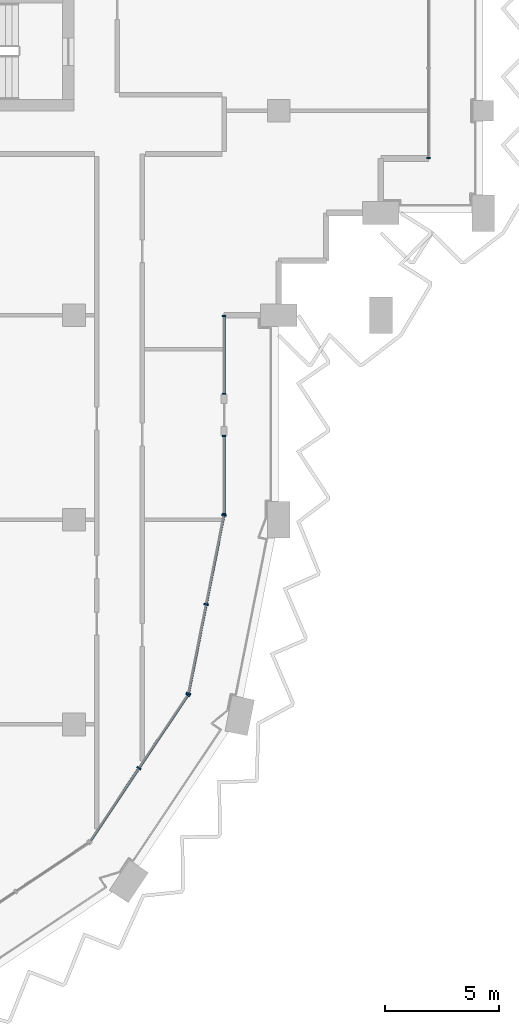
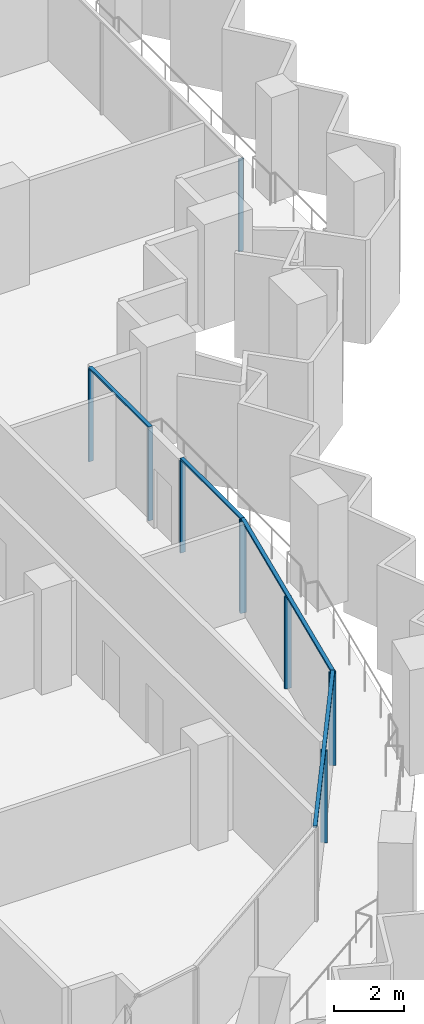
# One storey, part 3 of 15: 14 members, 5 elements without a shape of their own.
"""IFC4 building model written with IfcOpenShell, lengths in metres."""

import ifcopenshell
import ifcopenshell.guid

model = None  # the IFC model being written
_history = None  # IfcOwnerHistory: only IFC2X3 demands one
_inside = {}  # id of a spatial element -> (the spatial element, [elements in it])
_under = {}  # id of a project, library or spatial element -> (it, [spatial elements below it])
_declared = {}  # id of a project -> (the project, [libraries it declares])
_typed = {}  # id of a type object -> (the type object, [elements of that type])
_made_of = {}  # id of a material, layer set ... -> (it, [elements and type objects made of it])


def new_model(schema):
    """Start an empty IFC model of exactly this schema.

    Asked for "IFC4X3", IfcOpenShell would pick the latest addendum, in which some entities
    have other attributes; the version numbers below select the first issue.
    IFC2X3 requires an IfcOwnerHistory on every rooted entity: one is made here for all.
    """
    global model, _history
    if schema == "IFC4X3":
        model = ifcopenshell.file(schema_version=(4, 3, 0, 0))
    else:
        model = ifcopenshell.file(schema=schema)
    _inside.clear()
    _under.clear()
    _declared.clear()
    _typed.clear()
    _made_of.clear()
    _history = None
    if model.schema == "IFC2X3":
        org = make("IfcOrganization", Name="unknown")
        user = make(
            "IfcPersonAndOrganization",
            ThePerson=make("IfcPerson", FamilyName="unknown"),
            TheOrganization=org,
        )
        app = make(
            "IfcApplication",
            ApplicationDeveloper=org,
            Version="unknown",
            ApplicationFullName="unknown",
            ApplicationIdentifier="unknown",
        )
        _history = make(
            "IfcOwnerHistory",
            OwningUser=user,
            OwningApplication=app,
            ChangeAction="ADDED",
            CreationDate=0,
        )
    return model


def make(cls, **values):
    """One entity of the class cls with the attributes given. An attribute that is None is left unset."""
    return model.create_entity(
        cls, **{name: value for name, value in values.items() if value is not None}
    )


def rooted(cls, **values):
    """An entity with a GlobalId (a new one), such as an element, a storey or a relation."""
    return make(cls, GlobalId=ifcopenshell.guid.new(), OwnerHistory=_history, **values)


def si_unit(unit_type, name, prefix=None):
    """IfcSIUnit, for example si_unit("LENGTHUNIT", "METRE", prefix="MILLI")."""
    return make("IfcSIUnit", UnitType=unit_type, Prefix=prefix, Name=name)


def assignment(units):
    """IfcUnitAssignment: the units of a project."""
    return None if units is None else make("IfcUnitAssignment", Units=units)


def point(xyz):
    """IfcCartesianPoint."""
    return None if xyz is None else make("IfcCartesianPoint", Coordinates=xyz)


def direction(xyz):
    """IfcDirection."""
    return None if xyz is None else make("IfcDirection", DirectionRatios=xyz)


def frame(location, z_axis=None, x_axis=None):
    """IfcAxis2Placement3D, a coordinate frame: its origin and axes. An axis left out is left unset."""
    return make(
        "IfcAxis2Placement3D",
        Location=point(location),
        Axis=direction(z_axis),
        RefDirection=direction(x_axis),
    )


def frame_2d(location, x_axis=None):
    """IfcAxis2Placement2D, a coordinate frame in the plane: its origin and x axis."""
    return make(
        "IfcAxis2Placement2D", Location=point(location), RefDirection=direction(x_axis)
    )


def origin():
    """The frame at (0, 0, 0) with its axes left unset."""
    return frame((0.0, 0.0, 0.0))


def origin_2d():
    """The frame at (0, 0) in the plane with its x axis left unset."""
    return frame_2d((0.0, 0.0))


def place(relative_to, where):
    """IfcLocalPlacement: puts the frame where relative to a parent placement (None: the world)."""
    return make(
        "IfcLocalPlacement", PlacementRelTo=relative_to, RelativePlacement=where
    )


def context(
    kind, dimensions, precision=None, world=None, true_north=None, identifier=None
):
    """IfcGeometricRepresentationContext, for example the 3D "Model" context."""
    return make(
        "IfcGeometricRepresentationContext",
        ContextIdentifier=identifier,
        ContextType=kind,
        CoordinateSpaceDimension=dimensions,
        Precision=precision,
        WorldCoordinateSystem=world,
        TrueNorth=true_north,
    )


def subcontext(parent, identifier, kind, view, scale=None):
    """IfcGeometricRepresentationSubContext, for example "Body" below "Model"."""
    return make(
        "IfcGeometricRepresentationSubContext",
        ContextIdentifier=identifier,
        ContextType=kind,
        ParentContext=parent,
        TargetScale=scale,
        TargetView=view,
    )


def project(units=None, contexts=None):
    """IfcProject with its units and contexts."""
    return rooted(
        "IfcProject",
        Name="project",
        RepresentationContexts=contexts,
        UnitsInContext=assignment(units),
    )


def spatial(cls, under=None, at=None, **own):
    """A site, building, storey or space (cls), placed at a placement, below another one or the project."""
    s = rooted(cls, ObjectPlacement=at, **own)
    if under is not None:
        _under.setdefault(under.id(), (under, []))[1].append(s)
    return s


def profile(cls, at=None, kind="AREA", **sizes):
    """A parametric profile (cls). Its sizes go by their IFC names, for example OverallWidth=200.0."""
    return make(cls, ProfileType=kind, Position=at, **sizes)


def rectangle(**sizes):
    """IfcRectangleProfileDef."""
    return profile("IfcRectangleProfileDef", **sizes)


def extrude(swept, where, along, depth):
    """IfcExtrudedAreaSolid: the profile swept, set in the frame where, extruded along a direction by depth."""
    return make(
        "IfcExtrudedAreaSolid",
        SweptArea=swept,
        Position=where,
        ExtrudedDirection=direction(along),
        Depth=depth,
    )


def shape(context_of_items, identifier, shape_type, items):
    """IfcShapeRepresentation: the items that make up one representation, for example the "Body"."""
    return make(
        "IfcShapeRepresentation",
        ContextOfItems=context_of_items,
        RepresentationIdentifier=identifier,
        RepresentationType=shape_type,
        Items=items,
    )


def material(Name=None, Category=None):
    """IfcMaterial."""
    return make("IfcMaterial", Name=Name, Category=Category)


def material_profile(
    of_material, cross_section, Name=None, Category=None, Priority=None
):
    """IfcMaterialProfile: a cross section and its material."""
    return make(
        "IfcMaterialProfile",
        Name=Name,
        Material=of_material,
        Profile=cross_section,
        Priority=Priority,
        Category=Category,
    )


def profile_set(profiles, Name=None, composite=None):
    """IfcMaterialProfileSet."""
    return make(
        "IfcMaterialProfileSet",
        Name=Name,
        MaterialProfiles=profiles,
        CompositeProfile=composite,
    )


def made_of(thing, what):
    """Note that an element or type object is made of a material, layer set ...; save() writes the relation."""
    if what is not None:
        _made_of.setdefault(what.id(), (what, []))[1].append(thing)
    return thing


def type_object(cls, material=None, **own):
    """A type object (cls), such as IfcWallType, which elements share."""
    return made_of(rooted(cls, **own), material)


def element(
    cls,
    number,
    at=None,
    inside=None,
    cuts=None,
    type_object=None,
    material=None,
    context=None,
    identifier="Body",
    shape_type=None,
    held_by="IfcProductDefinitionShape",
    body=None,
    shapes=None,
    **own,
):
    """One element of the class cls, such as IfcWall. Its Tag is "e" and its number.

    at: its placement. inside: the storey or other place that contains it. cuts: it is an
    opening in that element (IfcRelVoidsElement). A single representation is given by context,
    identifier, shape_type and body (its items); several are given by shapes. held_by: the class
    of the entity that holds the representations. save() writes the other relations.
    """
    e = rooted(cls, Tag="e%d" % number, ObjectPlacement=at, **own)
    if body is not None:
        shapes = [shape(context, identifier, shape_type, body)]
    if shapes is not None:
        e.Representation = make(held_by, Representations=shapes)
    if inside is not None:
        _inside.setdefault(inside.id(), (inside, []))[1].append(e)
    if cuts is not None:
        rooted(
            "IfcRelVoidsElement", RelatingBuildingElement=cuts, RelatedOpeningElement=e
        )
    if type_object is not None:
        _typed.setdefault(type_object.id(), (type_object, []))[1].append(e)
    return made_of(e, material)


def aggregate(whole, parts):
    """IfcRelAggregates: a whole, such as a stair, and the parts it consists of."""
    return rooted("IfcRelAggregates", RelatingObject=whole, RelatedObjects=parts)


def save(model, path):
    """Write the relations noted so far, then the file.

    IfcRelAggregates (storeys below a building ...), IfcRelContainedInSpatialStructure (elements
    in a storey), IfcRelDefinesByType, IfcRelAssociatesMaterial and IfcRelDeclares: one each for
    every whole, place, type object, material and project.
    """
    for whole, parts in _under.values():
        aggregate(whole, parts)
    for where, things in _inside.values():
        rooted(
            "IfcRelContainedInSpatialStructure",
            RelatedElements=things,
            RelatingStructure=where,
        )
    for kind, things in _typed.values():
        rooted("IfcRelDefinesByType", RelatedObjects=things, RelatingType=kind)
    for what, things in _made_of.values():
        rooted("IfcRelAssociatesMaterial", RelatedObjects=things, RelatingMaterial=what)
    for by, libraries in _declared.values():
        rooted("IfcRelDeclares", RelatingContext=by, RelatedDefinitions=libraries)
    model.write(path)


model = new_model("IFC4")

# Units and contexts
model_context = context("Model", 3, precision=1e-05, world=origin(), true_north=direction((0.0, 1.0)))
body_context = subcontext(model_context, "Body", "Model", "MODEL_VIEW")
ifc_project = project(units=[si_unit("LENGTHUNIT", "METRE"), si_unit("AREAUNIT", "SQUARE_METRE"), si_unit("VOLUMEUNIT", "CUBIC_METRE"), si_unit("PLANEANGLEUNIT", "RADIAN"), si_unit("MASSUNIT", "GRAM", prefix="KILO")], contexts=[model_context])

# Site, building, storey
site_placement = place(None, origin())
site = spatial("IfcSite", under=ifc_project, at=site_placement, CompositionType="ELEMENT")
building_placement = place(site_placement, origin())
building = spatial("IfcBuilding", under=site, at=building_placement, Name="Hunhe Ridgeline Campus", CompositionType="ELEMENT")
storey_placement = place(building_placement, frame((0.0, 0.0, 231.800048828125)))
storey = spatial("IfcBuildingStorey", under=building, at=storey_placement, Name="L59", CompositionType="ELEMENT", Elevation=231.800048828125)

# Curtain wall, members
ifc_material = material(Name="Aluminium 6063", Category="aluminium")
curtain_wall_type_1 = type_object("IfcCurtainWallType", Name="Curtain wall CW-1", PredefinedType="NOTDEFINED", material=ifc_material)
curtain_wall_1_placement = place(storey_placement, origin())
curtain_wall_1 = element("IfcCurtainWall", 1, at=curtain_wall_1_placement, inside=storey, type_object=curtain_wall_type_1, Name="Curtain wall 11", PredefinedType="NOTDEFINED")
ifc_material_profile_1 = material_profile(ifc_material, rectangle(XDim=0.159912109375, YDim=0.06005859375, at=origin_2d()))
ifc_profile_set_1 = profile_set([ifc_material_profile_1], Name="Aluminium 6063")
member_type_1 = type_object("IfcMemberType", Name="CW-1 aluminium mullion", PredefinedType="MULLION", material=ifc_profile_set_1)
member_1_placement = place(storey_placement, frame((42.59912109375, 45.266357421875, 0.0), z_axis=(0.0, 0.0, 1.0), x_axis=(-0.999999999815, 1.9241592e-05, 0.0)))
member_1 = element("IfcMember", 2, at=member_1_placement, type_object=member_type_1, Name="CW-1 mullion 1", PredefinedType="MULLION", context=body_context, shape_type="SweptSolid", body=[
    extrude(rectangle(XDim=0.159912109375, YDim=0.06005859375, at=origin_2d()), origin(), (0.0, 0.0, 1.0), 3.239990234375),
])
member_2_placement = place(storey_placement, frame((42.59912109375, 48.6884765625, 0.0), z_axis=(0.0, 0.0, 1.0), x_axis=(-0.999999999815, 1.9241592e-05, 0.0)))
member_2 = element("IfcMember", 3, at=member_2_placement, type_object=member_type_1, Name="CW-1 mullion 2", PredefinedType="MULLION", context=body_context, shape_type="SweptSolid", body=[
    extrude(rectangle(XDim=0.159912109375, YDim=0.06005859375, at=origin_2d()), origin(), (0.0, 0.0, 1.0), 3.239990234375),
])

curtain_wall_2_placement = place(storey_placement, origin())
curtain_wall_2 = element("IfcCurtainWall", 4, at=curtain_wall_2_placement, inside=storey, type_object=curtain_wall_type_1, Name="Curtain wall 12", PredefinedType="NOTDEFINED")
member_3_placement = place(storey_placement, frame((42.59912109375, 50.548583984375, 0.0), z_axis=(0.0, 0.0, 1.0), x_axis=(-0.999999999815, 1.9241592e-05, 0.0)))
member_3 = element("IfcMember", 5, at=member_3_placement, type_object=member_type_1, Name="CW-1 mullion 1", PredefinedType="MULLION", context=body_context, shape_type="SweptSolid", body=[
    extrude(rectangle(XDim=0.159912109375, YDim=0.06005859375, at=origin_2d()), origin(), (0.0, 0.0, 1.0), 3.239990234375),
])
member_4_placement = place(storey_placement, frame((42.59912109375, 53.970458984375, 0.0), z_axis=(0.0, 0.0, 1.0), x_axis=(-0.999999999815, 1.9241592e-05, 0.0)))
member_4 = element("IfcMember", 6, at=member_4_placement, type_object=member_type_1, Name="CW-1 mullion 2", PredefinedType="MULLION", context=body_context, shape_type="SweptSolid", body=[
    extrude(rectangle(XDim=0.159912109375, YDim=0.06005859375, at=origin_2d()), origin(), (0.0, 0.0, 1.0), 3.239990234375),
])

# Curtain wall, member
curtain_wall_3_placement = place(storey_placement, origin())
curtain_wall_3 = element("IfcCurtainWall", 7, at=curtain_wall_3_placement, inside=storey, type_object=curtain_wall_type_1, Name="Curtain wall 13", PredefinedType="NOTDEFINED")
member_5_placement = place(storey_placement, frame((51.59912109375, 60.930908203125, 0.0), z_axis=(0.0, 0.0, 1.0), x_axis=(-1.0, 0.0, 0.0)))
member_5 = element("IfcMember", 8, at=member_5_placement, type_object=member_type_1, Name="CW-1 mullion 1", PredefinedType="MULLION", context=body_context, shape_type="SweptSolid", body=[
    extrude(rectangle(XDim=0.159912109375, YDim=0.06005859375, at=origin_2d()), origin(), (0.0, 0.0, 1.0), 3.239990234375),
])
aggregate(curtain_wall_3, [member_5])

# Member
ifc_material_profile_2 = material_profile(ifc_material, rectangle(XDim=0.1201171875, YDim=0.06005859375, at=origin_2d()))
ifc_profile_set_2 = profile_set([ifc_material_profile_2], Name="Aluminium 6063")
member_type_2 = type_object("IfcMemberType", Name="CW-1 aluminium transom", PredefinedType="USERDEFINED", material=ifc_profile_set_2)
member_6_placement = place(storey_placement, frame((42.59912109375, 45.236572265625, 3.27001953125), z_axis=(0.0, 1.0, 0.0), x_axis=(-1.0, 0.0, 0.0)))
member_6 = element("IfcMember", 9, at=member_6_placement, type_object=member_type_2, Name="CW-1 transom 1", ObjectType="TRANSOM", PredefinedType="USERDEFINED", context=body_context, shape_type="SweptSolid", body=[
    extrude(rectangle(XDim=0.1201171875, YDim=0.06005859375, at=origin_2d()), origin(), (0.0, 0.0, 1.0), 3.48193359375),
])

aggregate(curtain_wall_1, [member_6, member_1, member_2])

member_7_placement = place(storey_placement, frame((42.59912109375, 50.5185546875, 3.27001953125), z_axis=(0.0, 1.0, 0.0), x_axis=(-1.0, 0.0, 0.0)))
member_7 = element("IfcMember", 10, at=member_7_placement, type_object=member_type_2, Name="CW-1 transom 1", ObjectType="TRANSOM", PredefinedType="USERDEFINED", context=body_context, shape_type="SweptSolid", body=[
    extrude(rectangle(XDim=0.1201171875, YDim=0.06005859375, at=origin_2d()), origin(), (0.0, 0.0, 1.0), 3.48193359375),
])

aggregate(curtain_wall_2, [member_7, member_3, member_4])

# Curtain wall, members
curtain_wall_type_2 = type_object("IfcCurtainWallType", Name="Curtain wall CW-5", PredefinedType="NOTDEFINED", material=ifc_material)
curtain_wall_4_placement = place(storey_placement, origin())
curtain_wall_4 = element("IfcCurtainWall", 11, at=curtain_wall_4_placement, inside=storey, type_object=curtain_wall_type_2, Name="Curtain wall 09", PredefinedType="NOTDEFINED")
ifc_material_profile_3 = material_profile(ifc_material, rectangle(XDim=0.199951171875, YDim=0.070068359375, at=origin_2d()))
ifc_profile_set_3 = profile_set([ifc_material_profile_3], Name="Aluminium 6063")
member_type_3 = type_object("IfcMemberType", Name="CW-5 aluminium mullion", PredefinedType="MULLION", material=ifc_profile_set_3)
member_8_placement = place(storey_placement, frame((38.852294921875, 34.07373046875, 0.0), z_axis=(0.0, 0.0, 1.0), x_axis=(-0.831469584522, 0.555570274596, 0.0)))
member_8 = element("IfcMember", 12, at=member_8_placement, type_object=member_type_3, Name="CW-5 mullion 2", PredefinedType="MULLION", context=body_context, shape_type="SweptSolid", body=[
    extrude(rectangle(XDim=0.199951171875, YDim=0.070068359375, at=origin_2d()), origin(), (0.0, 0.0, 1.0), 3.22998046875),
])
member_9_placement = place(storey_placement, frame((41.006103515625, 37.29736328125, 0.0), z_axis=(0.0, 0.0, 1.0), x_axis=(-0.831469584522, 0.555570274596, 0.0)))
member_9 = element("IfcMember", 13, at=member_9_placement, type_object=member_type_3, Name="CW-5 mullion 3", PredefinedType="MULLION", context=body_context, shape_type="SweptSolid", body=[
    extrude(rectangle(XDim=0.199951171875, YDim=0.070068359375, at=origin_2d()), origin(), (0.0, 0.0, 1.0), 3.22998046875),
])

curtain_wall_5_placement = place(storey_placement, origin())
curtain_wall_5 = element("IfcCurtainWall", 14, at=curtain_wall_5_placement, inside=storey, type_object=curtain_wall_type_2, Name="Curtain wall 10", PredefinedType="NOTDEFINED")
member_10_placement = place(storey_placement, frame((41.032470703125, 37.36083984375, 0.0), z_axis=(0.0, 0.0, 1.0), x_axis=(-0.980785284939, 0.195090299215, 0.0)))
member_10 = element("IfcMember", 15, at=member_10_placement, type_object=member_type_3, Name="CW-5 mullion 1", PredefinedType="MULLION", context=body_context, shape_type="SweptSolid", body=[
    extrude(rectangle(XDim=0.199951171875, YDim=0.070068359375, at=origin_2d()), origin(), (0.0, 0.0, 1.0), 3.22998046875),
])
member_11_placement = place(storey_placement, frame((41.812255859375, 41.281494140625, 0.0), z_axis=(0.0, 0.0, 1.0), x_axis=(-0.980785284939, 0.195090299215, 0.0)))
member_11 = element("IfcMember", 16, at=member_11_placement, type_object=member_type_3, Name="CW-5 mullion 2", PredefinedType="MULLION", context=body_context, shape_type="SweptSolid", body=[
    extrude(rectangle(XDim=0.199951171875, YDim=0.070068359375, at=origin_2d()), origin(), (0.0, 0.0, 1.0), 3.22998046875),
])
member_12_placement = place(storey_placement, frame((42.59228515625, 45.2021484375, 0.0), z_axis=(0.0, 0.0, 1.0), x_axis=(-0.980785284939, 0.195090299215, 0.0)))
member_12 = element("IfcMember", 17, at=member_12_placement, type_object=member_type_3, Name="CW-5 mullion 3", PredefinedType="MULLION", context=body_context, shape_type="SweptSolid", body=[
    extrude(rectangle(XDim=0.199951171875, YDim=0.070068359375, at=origin_2d()), origin(), (0.0, 0.0, 1.0), 3.22998046875),
])

# Member
ifc_material_profile_4 = material_profile(ifc_material, rectangle(XDim=0.1201171875, YDim=0.070068359375, at=origin_2d()))
ifc_profile_set_4 = profile_set([ifc_material_profile_4], Name="Aluminium 6063")
member_type_4 = type_object("IfcMemberType", Name="CW-5 aluminium transom", PredefinedType="USERDEFINED", material=ifc_profile_set_4)
member_13_placement = place(storey_placement, frame((36.678955078125, 30.821044921875, 3.264892578125), z_axis=(0.5555640203, 0.831473763475, 0.0), x_axis=(-0.831473763475, 0.5555640203, 0.0)))
member_13 = element("IfcMember", 18, at=member_13_placement, type_object=member_type_4, Name="CW-5 transom 1", ObjectType="TRANSOM", PredefinedType="USERDEFINED", context=body_context, shape_type="SweptSolid", body=[
    extrude(rectangle(XDim=0.1201171875, YDim=0.070068359375, at=origin_2d()), origin(), (0.0, 0.0, 1.0), 7.823974609375),
])

aggregate(curtain_wall_4, [member_13, member_8, member_9])

member_14_placement = place(storey_placement, frame((41.025634765625, 37.326416015625, 3.264892578125), z_axis=(0.195097290093, 0.980783894341, 0.0), x_axis=(-0.980783894341, 0.195097290093, 0.0)))
member_14 = element("IfcMember", 19, at=member_14_placement, type_object=member_type_4, Name="CW-5 transom 1", ObjectType="TRANSOM", PredefinedType="USERDEFINED", context=body_context, shape_type="SweptSolid", body=[
    extrude(rectangle(XDim=0.1201171875, YDim=0.070068359375, at=origin_2d()), origin(), (0.0, 0.0, 1.0), 8.065185546875),
])

aggregate(curtain_wall_5, [member_14, member_10, member_11, member_12])

save(model, "model.ifc")
